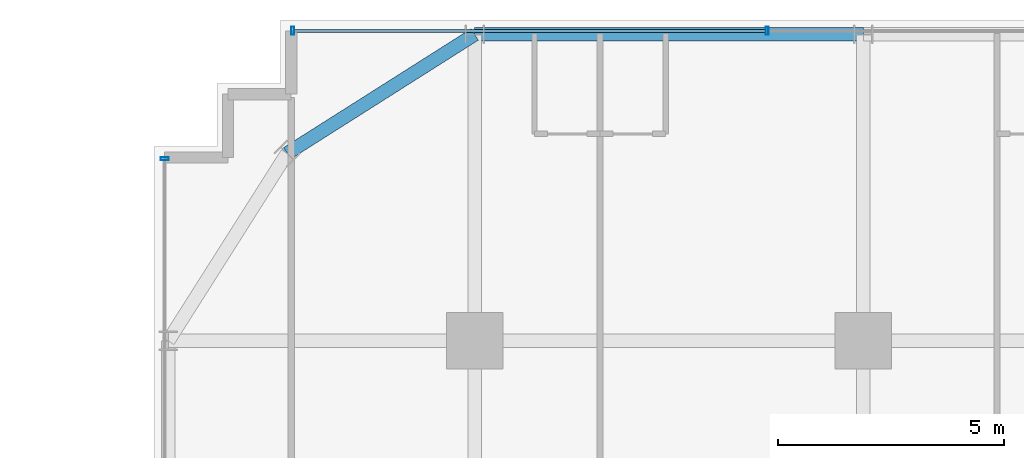
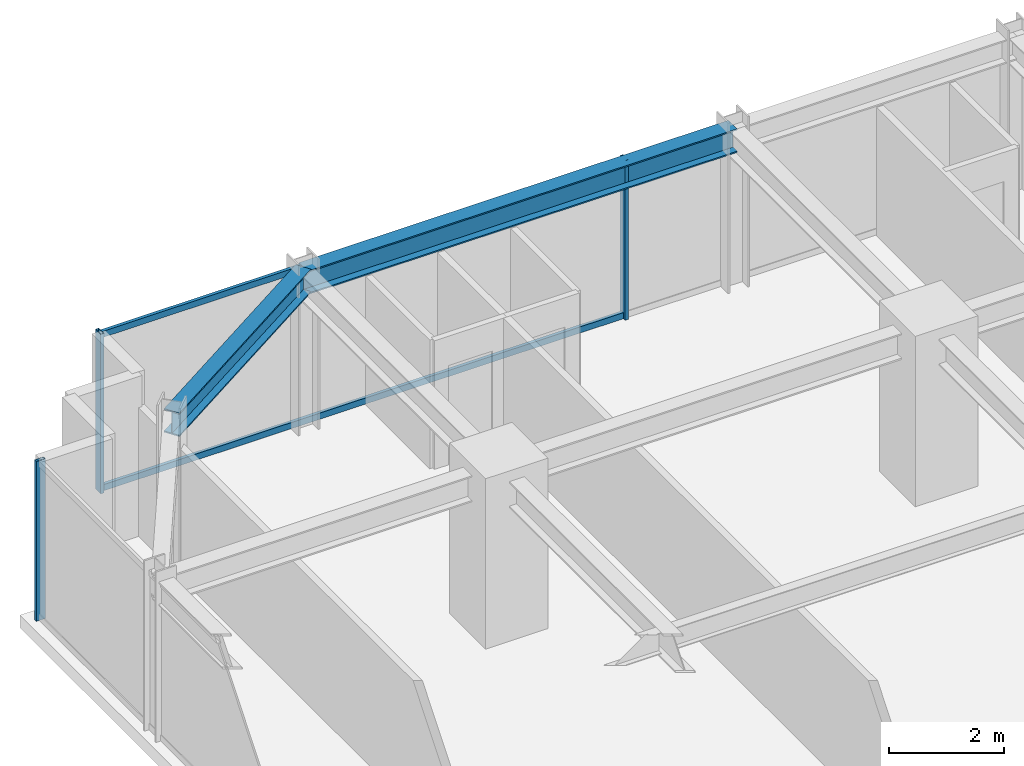
# One storey, part 19 of 32: 5 members, 2 beams, 2 elements without a shape of their own.
"""IFC4 building model written with IfcOpenShell, lengths in metres."""

import ifcopenshell
import ifcopenshell.guid

model = None  # the IFC model being written
_history = None  # IfcOwnerHistory: only IFC2X3 demands one
_inside = {}  # id of a spatial element -> (the spatial element, [elements in it])
_under = {}  # id of a project, library or spatial element -> (it, [spatial elements below it])
_declared = {}  # id of a project -> (the project, [libraries it declares])
_typed = {}  # id of a type object -> (the type object, [elements of that type])
_made_of = {}  # id of a material, layer set ... -> (it, [elements and type objects made of it])


def new_model(schema):
    """Start an empty IFC model of exactly this schema.

    Asked for "IFC4X3", IfcOpenShell would pick the latest addendum, in which some entities
    have other attributes; the version numbers below select the first issue.
    IFC2X3 requires an IfcOwnerHistory on every rooted entity: one is made here for all.
    """
    global model, _history
    if schema == "IFC4X3":
        model = ifcopenshell.file(schema_version=(4, 3, 0, 0))
    else:
        model = ifcopenshell.file(schema=schema)
    _inside.clear()
    _under.clear()
    _declared.clear()
    _typed.clear()
    _made_of.clear()
    _history = None
    if model.schema == "IFC2X3":
        org = make("IfcOrganization", Name="unknown")
        user = make(
            "IfcPersonAndOrganization",
            ThePerson=make("IfcPerson", FamilyName="unknown"),
            TheOrganization=org,
        )
        app = make(
            "IfcApplication",
            ApplicationDeveloper=org,
            Version="unknown",
            ApplicationFullName="unknown",
            ApplicationIdentifier="unknown",
        )
        _history = make(
            "IfcOwnerHistory",
            OwningUser=user,
            OwningApplication=app,
            ChangeAction="ADDED",
            CreationDate=0,
        )
    return model


def make(cls, **values):
    """One entity of the class cls with the attributes given. An attribute that is None is left unset."""
    return model.create_entity(
        cls, **{name: value for name, value in values.items() if value is not None}
    )


def rooted(cls, **values):
    """An entity with a GlobalId (a new one), such as an element, a storey or a relation."""
    return make(cls, GlobalId=ifcopenshell.guid.new(), OwnerHistory=_history, **values)


def si_unit(unit_type, name, prefix=None):
    """IfcSIUnit, for example si_unit("LENGTHUNIT", "METRE", prefix="MILLI")."""
    return make("IfcSIUnit", UnitType=unit_type, Prefix=prefix, Name=name)


def assignment(units):
    """IfcUnitAssignment: the units of a project."""
    return None if units is None else make("IfcUnitAssignment", Units=units)


def point(xyz):
    """IfcCartesianPoint."""
    return None if xyz is None else make("IfcCartesianPoint", Coordinates=xyz)


def direction(xyz):
    """IfcDirection."""
    return None if xyz is None else make("IfcDirection", DirectionRatios=xyz)


def frame(location, z_axis=None, x_axis=None):
    """IfcAxis2Placement3D, a coordinate frame: its origin and axes. An axis left out is left unset."""
    return make(
        "IfcAxis2Placement3D",
        Location=point(location),
        Axis=direction(z_axis),
        RefDirection=direction(x_axis),
    )


def frame_2d(location, x_axis=None):
    """IfcAxis2Placement2D, a coordinate frame in the plane: its origin and x axis."""
    return make(
        "IfcAxis2Placement2D", Location=point(location), RefDirection=direction(x_axis)
    )


def origin():
    """The frame at (0, 0, 0) with its axes left unset."""
    return frame((0.0, 0.0, 0.0))


def origin_2d():
    """The frame at (0, 0) in the plane with its x axis left unset."""
    return frame_2d((0.0, 0.0))


def place(relative_to, where):
    """IfcLocalPlacement: puts the frame where relative to a parent placement (None: the world)."""
    return make(
        "IfcLocalPlacement", PlacementRelTo=relative_to, RelativePlacement=where
    )


def context(
    kind, dimensions, precision=None, world=None, true_north=None, identifier=None
):
    """IfcGeometricRepresentationContext, for example the 3D "Model" context."""
    return make(
        "IfcGeometricRepresentationContext",
        ContextIdentifier=identifier,
        ContextType=kind,
        CoordinateSpaceDimension=dimensions,
        Precision=precision,
        WorldCoordinateSystem=world,
        TrueNorth=true_north,
    )


def subcontext(parent, identifier, kind, view, scale=None):
    """IfcGeometricRepresentationSubContext, for example "Body" below "Model"."""
    return make(
        "IfcGeometricRepresentationSubContext",
        ContextIdentifier=identifier,
        ContextType=kind,
        ParentContext=parent,
        TargetScale=scale,
        TargetView=view,
    )


def project(units=None, contexts=None):
    """IfcProject with its units and contexts."""
    return rooted(
        "IfcProject",
        Name="project",
        RepresentationContexts=contexts,
        UnitsInContext=assignment(units),
    )


def spatial(cls, under=None, at=None, **own):
    """A site, building, storey or space (cls), placed at a placement, below another one or the project."""
    s = rooted(cls, ObjectPlacement=at, **own)
    if under is not None:
        _under.setdefault(under.id(), (under, []))[1].append(s)
    return s


def profile(cls, at=None, kind="AREA", **sizes):
    """A parametric profile (cls). Its sizes go by their IFC names, for example OverallWidth=200.0."""
    return make(cls, ProfileType=kind, Position=at, **sizes)


def hollow_rectangle(**sizes):
    """IfcRectangleHollowProfileDef."""
    return profile("IfcRectangleHollowProfileDef", **sizes)


def i_section(**sizes):
    """IfcIShapeProfileDef."""
    return profile("IfcIShapeProfileDef", **sizes)


def extrude(swept, where, along, depth):
    """IfcExtrudedAreaSolid: the profile swept, set in the frame where, extruded along a direction by depth."""
    return make(
        "IfcExtrudedAreaSolid",
        SweptArea=swept,
        Position=where,
        ExtrudedDirection=direction(along),
        Depth=depth,
    )


def shape(context_of_items, identifier, shape_type, items):
    """IfcShapeRepresentation: the items that make up one representation, for example the "Body"."""
    return make(
        "IfcShapeRepresentation",
        ContextOfItems=context_of_items,
        RepresentationIdentifier=identifier,
        RepresentationType=shape_type,
        Items=items,
    )


def source(mapping_origin, context_of_items, identifier, shape_type, items):
    """IfcRepresentationMap: a shape defined once, which mapped items show again and again."""
    return make(
        "IfcRepresentationMap",
        MappingOrigin=mapping_origin,
        MappedRepresentation=shape(context_of_items, identifier, shape_type, items),
    )


def transform(
    local_origin,
    x_axis=None,
    y_axis=None,
    z_axis=None,
    scale=None,
    scale2=None,
    scale3=None,
    uniform=True,
):
    """IfcCartesianTransformationOperator3D, or its non-uniform kind. x_axis, y_axis, z_axis: its Axis1, 2, 3."""
    if uniform:
        return make(
            "IfcCartesianTransformationOperator3D",
            Axis1=direction(x_axis),
            Axis2=direction(y_axis),
            LocalOrigin=point(local_origin),
            Scale=scale,
            Axis3=direction(z_axis),
        )
    return make(
        "IfcCartesianTransformationOperator3DnonUniform",
        Axis1=direction(x_axis),
        Axis2=direction(y_axis),
        LocalOrigin=point(local_origin),
        Scale=scale,
        Axis3=direction(z_axis),
        Scale2=scale2,
        Scale3=scale3,
    )


def mapped(mapping_source, mapping_target):
    """IfcMappedItem: shows the shape of a source again, moved by a transform."""
    return make(
        "IfcMappedItem", MappingSource=mapping_source, MappingTarget=mapping_target
    )


def material(Name=None, Category=None):
    """IfcMaterial."""
    return make("IfcMaterial", Name=Name, Category=Category)


def material_profile(
    of_material, cross_section, Name=None, Category=None, Priority=None
):
    """IfcMaterialProfile: a cross section and its material."""
    return make(
        "IfcMaterialProfile",
        Name=Name,
        Material=of_material,
        Profile=cross_section,
        Priority=Priority,
        Category=Category,
    )


def profile_set(profiles, Name=None, composite=None):
    """IfcMaterialProfileSet."""
    return make(
        "IfcMaterialProfileSet",
        Name=Name,
        MaterialProfiles=profiles,
        CompositeProfile=composite,
    )


def made_of(thing, what):
    """Note that an element or type object is made of a material, layer set ...; save() writes the relation."""
    if what is not None:
        _made_of.setdefault(what.id(), (what, []))[1].append(thing)
    return thing


def type_object(cls, material=None, **own):
    """A type object (cls), such as IfcWallType, which elements share."""
    return made_of(rooted(cls, **own), material)


def element(
    cls,
    number,
    at=None,
    inside=None,
    cuts=None,
    type_object=None,
    material=None,
    context=None,
    identifier="Body",
    shape_type=None,
    held_by="IfcProductDefinitionShape",
    body=None,
    shapes=None,
    **own,
):
    """One element of the class cls, such as IfcWall. Its Tag is "e" and its number.

    at: its placement. inside: the storey or other place that contains it. cuts: it is an
    opening in that element (IfcRelVoidsElement). A single representation is given by context,
    identifier, shape_type and body (its items); several are given by shapes. held_by: the class
    of the entity that holds the representations. save() writes the other relations.
    """
    e = rooted(cls, Tag="e%d" % number, ObjectPlacement=at, **own)
    if body is not None:
        shapes = [shape(context, identifier, shape_type, body)]
    if shapes is not None:
        e.Representation = make(held_by, Representations=shapes)
    if inside is not None:
        _inside.setdefault(inside.id(), (inside, []))[1].append(e)
    if cuts is not None:
        rooted(
            "IfcRelVoidsElement", RelatingBuildingElement=cuts, RelatedOpeningElement=e
        )
    if type_object is not None:
        _typed.setdefault(type_object.id(), (type_object, []))[1].append(e)
    return made_of(e, material)


def aggregate(whole, parts):
    """IfcRelAggregates: a whole, such as a stair, and the parts it consists of."""
    return rooted("IfcRelAggregates", RelatingObject=whole, RelatedObjects=parts)


def save(model, path):
    """Write the relations noted so far, then the file.

    IfcRelAggregates (storeys below a building ...), IfcRelContainedInSpatialStructure (elements
    in a storey), IfcRelDefinesByType, IfcRelAssociatesMaterial and IfcRelDeclares: one each for
    every whole, place, type object, material and project.
    """
    for whole, parts in _under.values():
        aggregate(whole, parts)
    for where, things in _inside.values():
        rooted(
            "IfcRelContainedInSpatialStructure",
            RelatedElements=things,
            RelatingStructure=where,
        )
    for kind, things in _typed.values():
        rooted("IfcRelDefinesByType", RelatedObjects=things, RelatingType=kind)
    for what, things in _made_of.values():
        rooted("IfcRelAssociatesMaterial", RelatedObjects=things, RelatingMaterial=what)
    for by, libraries in _declared.values():
        rooted("IfcRelDeclares", RelatingContext=by, RelatedDefinitions=libraries)
    model.write(path)


model = new_model("IFC4")

# Units and contexts
model_context = context("Model", 3, precision=1e-05, world=origin(), true_north=direction((0.0, 1.0)))
body_context = subcontext(model_context, "Body", "Model", "MODEL_VIEW")
ifc_project = project(units=[si_unit("LENGTHUNIT", "METRE"), si_unit("AREAUNIT", "SQUARE_METRE"), si_unit("VOLUMEUNIT", "CUBIC_METRE"), si_unit("PLANEANGLEUNIT", "RADIAN"), si_unit("MASSUNIT", "GRAM", prefix="KILO")], contexts=[model_context])

# Site, building, storey
site_placement = place(None, origin())
site = spatial("IfcSite", under=ifc_project, at=site_placement, CompositionType="ELEMENT")
building_placement = place(site_placement, origin())
building = spatial("IfcBuilding", under=site, at=building_placement, Name="Nahalor Promenade Grand Hotel", CompositionType="ELEMENT")
storey_placement = place(building_placement, frame((0.0, 0.0, 110.199951171875)))
storey = spatial("IfcBuildingStorey", under=building, at=storey_placement, Name="L27", CompositionType="ELEMENT", Elevation=110.199951171875)

# Beams
ifc_material_1 = material(Name="Steel S355JR", Category="steel")
ifc_material_profile_1 = material_profile(ifc_material_1, i_section(OverallWidth=0.3, OverallDepth=0.5, WebThickness=0.0145, FlangeThickness=0.028, at=origin_2d()), Name="HEB 500")
ifc_profile_set_1 = profile_set([ifc_material_profile_1], Name="Steel S355JR")
beam_type = type_object("IfcBeamType", Name="Beam-Spandrel-HEB500", PredefinedType="SPANDREL", material=ifc_profile_set_1)
shared_shape_1 = source(origin(), body_context, "Body", "SweptSolid", [
    extrude(i_section(OverallWidth=0.3, OverallDepth=0.5, WebThickness=0.0145, FlangeThickness=0.028, at=origin_2d()), origin(), (0.0, 0.0, 1.0), 8.60009765625),
])
beam_1_placement = place(storey_placement, frame((-17.0, 23.780029296875, 3.130126953125), z_axis=(1.0, 0.0, 0.0), x_axis=(0.0, 1.0, 0.0)))
element("IfcBeam", 1, at=beam_1_placement, inside=storey, type_object=beam_type, Name="BM-L27-SP-N-0", PredefinedType="SPANDREL", context=body_context, shape_type="MappedRepresentation", body=[
    mapped(shared_shape_1, transform((0.0, 0.0, 0.0), scale=1.0)),
])
shared_shape_2 = source(origin(), body_context, "Body", "SweptSolid", [
    extrude(i_section(OverallWidth=0.3, OverallDepth=0.5, WebThickness=0.0145, FlangeThickness=0.028, at=origin_2d()), origin(), (0.0, 0.0, 1.0), 4.9130859375),
])
beam_2_placement = place(storey_placement, frame((-17.0, 23.780029296875, 3.130126953125), z_axis=(-0.844648325505, -0.535321591403, 0.0), x_axis=(0.535321591403, -0.844648325505, 0.0)))
element("IfcBeam", 2, at=beam_2_placement, inside=storey, type_object=beam_type, Name="BM-L27-SPC-NW-1", PredefinedType="SPANDREL", context=body_context, shape_type="MappedRepresentation", body=[
    mapped(shared_shape_2, transform((0.0, 0.0, 0.0), scale=1.0)),
])

# Curtain wall, members
ifc_material_2 = material(Name="Anodised Bronze Aluminium EN AW-6063 T6", Category="aluminium")
curtain_wall_type = type_object("IfcCurtainWallType", Name="CW2 Typical Hotel Flush Bronze Unitised Curtain Wall", PredefinedType="USERDEFINED", material=ifc_material_2)
curtain_wall_1_placement = place(storey_placement, origin())
curtain_wall_1 = element("IfcCurtainWall", 3, at=curtain_wall_1_placement, inside=storey, type_object=curtain_wall_type, Name="L27 Curtain Wall CW-L27-N-1", ObjectType="UNITISED_CURTAIN_WALL", PredefinedType="USERDEFINED")
ifc_material_profile_2 = material_profile(ifc_material_2, hollow_rectangle(XDim=0.065, YDim=0.13, WallThickness=0.004, at=origin_2d()), Name="CWT 65x130x4")
ifc_profile_set_2 = profile_set([ifc_material_profile_2], Name="Anodised Bronze Aluminium EN AW-6063 T6")
member_type_1 = type_object("IfcMemberType", Name="CWT2 Typical Bronze Transom 65x130", PredefinedType="USERDEFINED", material=ifc_profile_set_2)
shared_shape_3 = source(origin(), body_context, "Body", "SweptSolid", [
    extrude(hollow_rectangle(XDim=0.065, YDim=0.13, WallThickness=0.004, at=origin_2d()), origin(), (0.0, 0.0, 1.0), 10.4326171875),
])
member_1_placement = place(storey_placement, frame((-20.9951171875, 23.860107421875, 0.06494140625), z_axis=(1.0, 0.0, 0.0), x_axis=(0.0, 1.0, 0.0)))
member_1 = element("IfcMember", 4, at=member_1_placement, type_object=member_type_1, Name="CW-L27-N-1 Transom 0-0", ObjectType="TRANSOM", PredefinedType="USERDEFINED", context=body_context, shape_type="MappedRepresentation", body=[
    mapped(shared_shape_3, transform((0.0, 0.0, 0.0), scale=1.0)),
])
member_2_placement = place(storey_placement, frame((-20.9951171875, 23.860107421875, 3.31494140625), z_axis=(1.0, 0.0, 0.0), x_axis=(0.0, 1.0, 0.0)))
member_2 = element("IfcMember", 5, at=member_2_placement, type_object=member_type_1, Name="CW-L27-N-1 Transom 0-1", ObjectType="TRANSOM", PredefinedType="USERDEFINED", context=body_context, shape_type="MappedRepresentation", body=[
    mapped(shared_shape_3, transform((0.0, 0.0, 0.0), scale=1.0)),
])
ifc_material_profile_3 = material_profile(ifc_material_2, hollow_rectangle(XDim=0.065, YDim=0.18, WallThickness=0.004, at=origin_2d()), Name="CWM 65x180x4")
ifc_profile_set_3 = profile_set([ifc_material_profile_3], Name="Anodised Bronze Aluminium EN AW-6063 T6")
member_type_2 = type_object("IfcMemberType", Name="CWM2 Typical Bronze Mullion 65x180", PredefinedType="MULLION", material=ifc_profile_set_3)
shared_shape_4 = source(origin(), body_context, "Body", "SweptSolid", [
    extrude(hollow_rectangle(XDim=0.065, YDim=0.18, WallThickness=0.004, at=origin_2d()), origin(), (0.0, 0.0, 1.0), 3.380126953125),
])
member_3_placement = place(storey_placement, frame((-21.027587890625, 23.860107421875, 0.0), z_axis=(0.0, 0.0, 1.0), x_axis=(1.0, 0.0, 0.0)))
member_3 = element("IfcMember", 6, at=member_3_placement, type_object=member_type_2, Name="CW-L27-N-1 Mullion 0", PredefinedType="MULLION", context=body_context, shape_type="MappedRepresentation", body=[
    mapped(shared_shape_4, transform((0.0, 0.0, 0.0), scale=1.0)),
])
member_4_placement = place(storey_placement, frame((-10.530029296875, 23.860107421875, 0.0), z_axis=(0.0, 0.0, 1.0), x_axis=(1.0, 0.0, 0.0)))
member_4 = element("IfcMember", 7, at=member_4_placement, type_object=member_type_2, Name="CW-L27-N-1 Mullion 1", PredefinedType="MULLION", context=body_context, shape_type="MappedRepresentation", body=[
    mapped(shared_shape_4, transform((0.0, 0.0, 0.0), scale=1.0)),
])
aggregate(curtain_wall_1, [member_3, member_4, member_1, member_2])

# Curtain wall, member
curtain_wall_2_placement = place(storey_placement, origin())
curtain_wall_2 = element("IfcCurtainWall", 8, at=curtain_wall_2_placement, inside=storey, type_object=curtain_wall_type, Name="L27 Curtain Wall CW-L27-W-3", ObjectType="UNITISED_CURTAIN_WALL", PredefinedType="USERDEFINED")
member_5_placement = place(storey_placement, frame((-23.860107421875, 21.027587890625, 0.0), z_axis=(0.0, 0.0, 1.0), x_axis=(0.0, 1.0, 0.0)))
member_5 = element("IfcMember", 9, at=member_5_placement, type_object=member_type_2, Name="CW-L27-W-3 Mullion 3", PredefinedType="MULLION", context=body_context, shape_type="MappedRepresentation", body=[
    mapped(shared_shape_4, transform((0.0, 0.0, 0.0), scale=1.0)),
])
aggregate(curtain_wall_2, [member_5])

save(model, "model.ifc")
